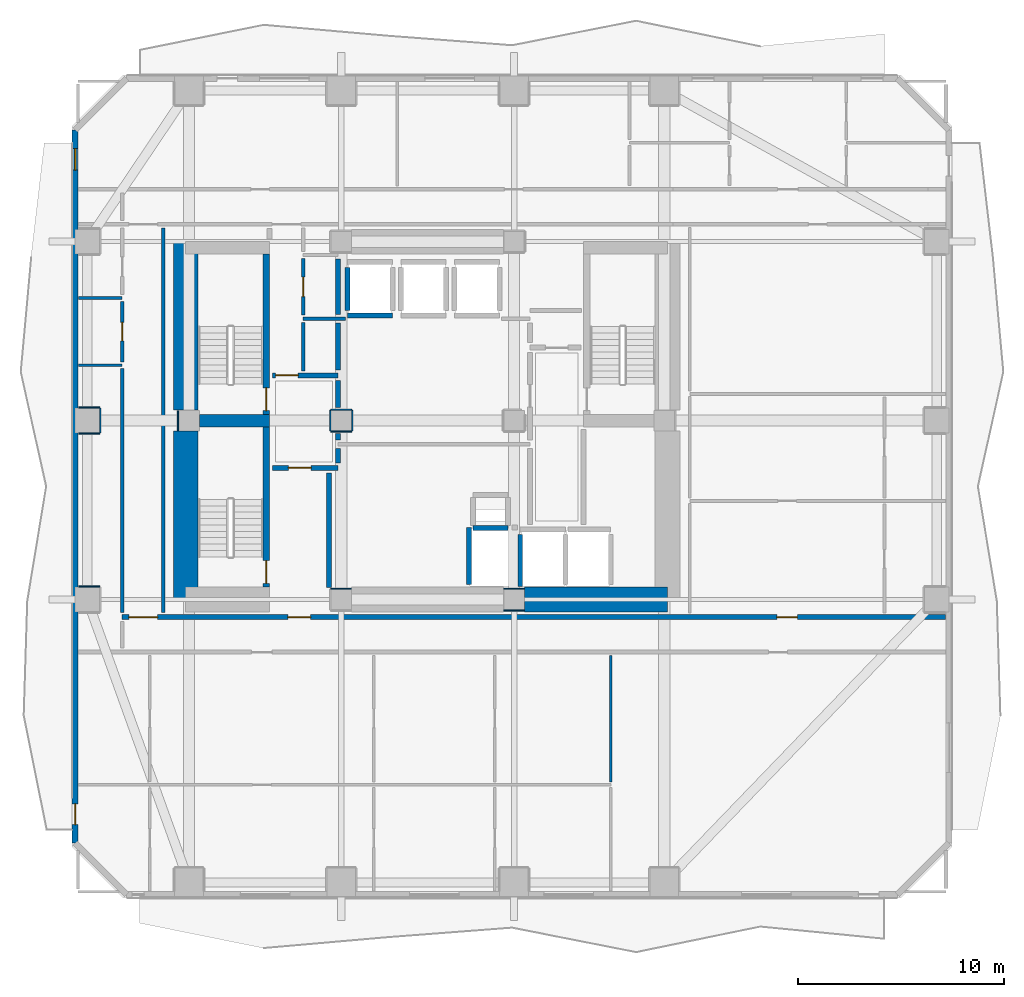
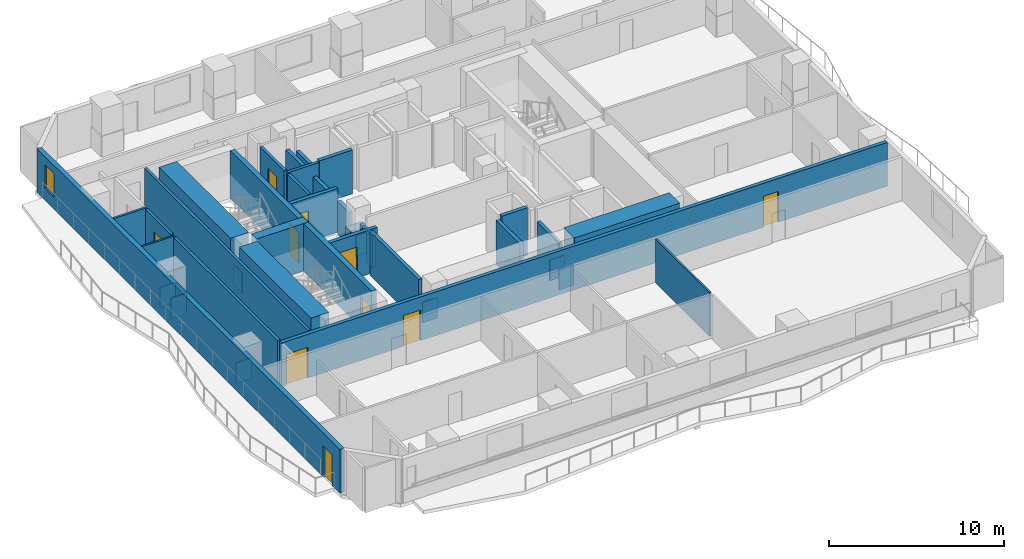
# One storey, part 3 of 9: 42 walls, 10 doors, 1 window, 11 openings.
"""IFC4 building model written with IfcOpenShell, lengths in metres."""

import ifcopenshell
import ifcopenshell.guid

model = None  # the IFC model being written
_history = None  # IfcOwnerHistory: only IFC2X3 demands one
_inside = {}  # id of a spatial element -> (the spatial element, [elements in it])
_under = {}  # id of a project, library or spatial element -> (it, [spatial elements below it])
_declared = {}  # id of a project -> (the project, [libraries it declares])
_typed = {}  # id of a type object -> (the type object, [elements of that type])
_made_of = {}  # id of a material, layer set ... -> (it, [elements and type objects made of it])


def new_model(schema):
    """Start an empty IFC model of exactly this schema.

    Asked for "IFC4X3", IfcOpenShell would pick the latest addendum, in which some entities
    have other attributes; the version numbers below select the first issue.
    IFC2X3 requires an IfcOwnerHistory on every rooted entity: one is made here for all.
    """
    global model, _history
    if schema == "IFC4X3":
        model = ifcopenshell.file(schema_version=(4, 3, 0, 0))
    else:
        model = ifcopenshell.file(schema=schema)
    _inside.clear()
    _under.clear()
    _declared.clear()
    _typed.clear()
    _made_of.clear()
    _history = None
    if model.schema == "IFC2X3":
        org = make("IfcOrganization", Name="unknown")
        user = make(
            "IfcPersonAndOrganization",
            ThePerson=make("IfcPerson", FamilyName="unknown"),
            TheOrganization=org,
        )
        app = make(
            "IfcApplication",
            ApplicationDeveloper=org,
            Version="unknown",
            ApplicationFullName="unknown",
            ApplicationIdentifier="unknown",
        )
        _history = make(
            "IfcOwnerHistory",
            OwningUser=user,
            OwningApplication=app,
            ChangeAction="ADDED",
            CreationDate=0,
        )
    return model


def make(cls, **values):
    """One entity of the class cls with the attributes given. An attribute that is None is left unset."""
    return model.create_entity(
        cls, **{name: value for name, value in values.items() if value is not None}
    )


def rooted(cls, **values):
    """An entity with a GlobalId (a new one), such as an element, a storey or a relation."""
    return make(cls, GlobalId=ifcopenshell.guid.new(), OwnerHistory=_history, **values)


def si_unit(unit_type, name, prefix=None):
    """IfcSIUnit, for example si_unit("LENGTHUNIT", "METRE", prefix="MILLI")."""
    return make("IfcSIUnit", UnitType=unit_type, Prefix=prefix, Name=name)


def assignment(units):
    """IfcUnitAssignment: the units of a project."""
    return None if units is None else make("IfcUnitAssignment", Units=units)


def point(xyz):
    """IfcCartesianPoint."""
    return None if xyz is None else make("IfcCartesianPoint", Coordinates=xyz)


def direction(xyz):
    """IfcDirection."""
    return None if xyz is None else make("IfcDirection", DirectionRatios=xyz)


def frame(location, z_axis=None, x_axis=None):
    """IfcAxis2Placement3D, a coordinate frame: its origin and axes. An axis left out is left unset."""
    return make(
        "IfcAxis2Placement3D",
        Location=point(location),
        Axis=direction(z_axis),
        RefDirection=direction(x_axis),
    )


def frame_2d(location, x_axis=None):
    """IfcAxis2Placement2D, a coordinate frame in the plane: its origin and x axis."""
    return make(
        "IfcAxis2Placement2D", Location=point(location), RefDirection=direction(x_axis)
    )


def origin():
    """The frame at (0, 0, 0) with its axes left unset."""
    return frame((0.0, 0.0, 0.0))


def place(relative_to, where):
    """IfcLocalPlacement: puts the frame where relative to a parent placement (None: the world)."""
    return make(
        "IfcLocalPlacement", PlacementRelTo=relative_to, RelativePlacement=where
    )


def context(
    kind, dimensions, precision=None, world=None, true_north=None, identifier=None
):
    """IfcGeometricRepresentationContext, for example the 3D "Model" context."""
    return make(
        "IfcGeometricRepresentationContext",
        ContextIdentifier=identifier,
        ContextType=kind,
        CoordinateSpaceDimension=dimensions,
        Precision=precision,
        WorldCoordinateSystem=world,
        TrueNorth=true_north,
    )


def subcontext(parent, identifier, kind, view, scale=None):
    """IfcGeometricRepresentationSubContext, for example "Body" below "Model"."""
    return make(
        "IfcGeometricRepresentationSubContext",
        ContextIdentifier=identifier,
        ContextType=kind,
        ParentContext=parent,
        TargetScale=scale,
        TargetView=view,
    )


def project(units=None, contexts=None):
    """IfcProject with its units and contexts."""
    return rooted(
        "IfcProject",
        Name="project",
        RepresentationContexts=contexts,
        UnitsInContext=assignment(units),
    )


def spatial(cls, under=None, at=None, **own):
    """A site, building, storey or space (cls), placed at a placement, below another one or the project."""
    s = rooted(cls, ObjectPlacement=at, **own)
    if under is not None:
        _under.setdefault(under.id(), (under, []))[1].append(s)
    return s


def profile(cls, at=None, kind="AREA", **sizes):
    """A parametric profile (cls). Its sizes go by their IFC names, for example OverallWidth=200.0."""
    return make(cls, ProfileType=kind, Position=at, **sizes)


def rectangle(**sizes):
    """IfcRectangleProfileDef."""
    return profile("IfcRectangleProfileDef", **sizes)


def extrude(swept, where, along, depth):
    """IfcExtrudedAreaSolid: the profile swept, set in the frame where, extruded along a direction by depth."""
    return make(
        "IfcExtrudedAreaSolid",
        SweptArea=swept,
        Position=where,
        ExtrudedDirection=direction(along),
        Depth=depth,
    )


def shape(context_of_items, identifier, shape_type, items):
    """IfcShapeRepresentation: the items that make up one representation, for example the "Body"."""
    return make(
        "IfcShapeRepresentation",
        ContextOfItems=context_of_items,
        RepresentationIdentifier=identifier,
        RepresentationType=shape_type,
        Items=items,
    )


def material(Name=None, Category=None):
    """IfcMaterial."""
    return make("IfcMaterial", Name=Name, Category=Category)


def layer(
    of_material, thickness, ventilated=None, Name=None, Category=None, Priority=None
):
    """IfcMaterialLayer: one layer of a wall or slab, of a material (None: an air gap)."""
    return make(
        "IfcMaterialLayer",
        Material=of_material,
        LayerThickness=thickness,
        IsVentilated=ventilated,
        Name=Name,
        Category=Category,
        Priority=Priority,
    )


def layer_set(layers, Name=None):
    """IfcMaterialLayerSet."""
    return make("IfcMaterialLayerSet", MaterialLayers=layers, LayerSetName=Name)


def made_of(thing, what):
    """Note that an element or type object is made of a material, layer set ...; save() writes the relation."""
    if what is not None:
        _made_of.setdefault(what.id(), (what, []))[1].append(thing)
    return thing


def type_object(cls, material=None, **own):
    """A type object (cls), such as IfcWallType, which elements share."""
    return made_of(rooted(cls, **own), material)


def element(
    cls,
    number,
    at=None,
    inside=None,
    cuts=None,
    type_object=None,
    material=None,
    context=None,
    identifier="Body",
    shape_type=None,
    held_by="IfcProductDefinitionShape",
    body=None,
    shapes=None,
    **own,
):
    """One element of the class cls, such as IfcWall. Its Tag is "e" and its number.

    at: its placement. inside: the storey or other place that contains it. cuts: it is an
    opening in that element (IfcRelVoidsElement). A single representation is given by context,
    identifier, shape_type and body (its items); several are given by shapes. held_by: the class
    of the entity that holds the representations. save() writes the other relations.
    """
    e = rooted(cls, Tag="e%d" % number, ObjectPlacement=at, **own)
    if body is not None:
        shapes = [shape(context, identifier, shape_type, body)]
    if shapes is not None:
        e.Representation = make(held_by, Representations=shapes)
    if inside is not None:
        _inside.setdefault(inside.id(), (inside, []))[1].append(e)
    if cuts is not None:
        rooted(
            "IfcRelVoidsElement", RelatingBuildingElement=cuts, RelatedOpeningElement=e
        )
    if type_object is not None:
        _typed.setdefault(type_object.id(), (type_object, []))[1].append(e)
    return made_of(e, material)


def fill(opening, filler):
    """IfcRelFillsElement: the door or window that sits in an opening."""
    return rooted(
        "IfcRelFillsElement",
        RelatingOpeningElement=opening,
        RelatedBuildingElement=filler,
    )


def aggregate(whole, parts):
    """IfcRelAggregates: a whole, such as a stair, and the parts it consists of."""
    return rooted("IfcRelAggregates", RelatingObject=whole, RelatedObjects=parts)


def save(model, path):
    """Write the relations noted so far, then the file.

    IfcRelAggregates (storeys below a building ...), IfcRelContainedInSpatialStructure (elements
    in a storey), IfcRelDefinesByType, IfcRelAssociatesMaterial and IfcRelDeclares: one each for
    every whole, place, type object, material and project.
    """
    for whole, parts in _under.values():
        aggregate(whole, parts)
    for where, things in _inside.values():
        rooted(
            "IfcRelContainedInSpatialStructure",
            RelatedElements=things,
            RelatingStructure=where,
        )
    for kind, things in _typed.values():
        rooted("IfcRelDefinesByType", RelatedObjects=things, RelatingType=kind)
    for what, things in _made_of.values():
        rooted("IfcRelAssociatesMaterial", RelatedObjects=things, RelatingMaterial=what)
    for by, libraries in _declared.values():
        rooted("IfcRelDeclares", RelatingContext=by, RelatedDefinitions=libraries)
    model.write(path)


model = new_model("IFC4")

# Units and contexts
model_context = context("Model", 3, precision=1e-05, world=origin(), true_north=direction((0.0, 1.0)))
body_context = subcontext(model_context, "Body", "Model", "MODEL_VIEW")
ifc_project = project(units=[si_unit("LENGTHUNIT", "METRE"), si_unit("AREAUNIT", "SQUARE_METRE"), si_unit("VOLUMEUNIT", "CUBIC_METRE"), si_unit("PLANEANGLEUNIT", "RADIAN"), si_unit("MASSUNIT", "GRAM", prefix="KILO")], contexts=[model_context])

# Site, building, storey
site_placement = place(None, origin())
site = spatial("IfcSite", under=ifc_project, at=site_placement, CompositionType="ELEMENT")
building_placement = place(site_placement, origin())
building = spatial("IfcBuilding", under=site, at=building_placement, Name="Solanera Arch Residences", CompositionType="ELEMENT")
storey_placement = place(building_placement, frame((0.0, 0.0, 55.199951171875)))
storey = spatial("IfcBuildingStorey", under=building, at=storey_placement, Name="L15", CompositionType="ELEMENT", Elevation=55.199951171875)

# Walls
ifc_material_1 = material(Name="Fire-Rated Gypsum Stud Partition", Category="gypsum")
ifc_layer_1 = layer(ifc_material_1, 0.06005859375)
ifc_layer_set_1 = layer_set([ifc_layer_1], Name="Fire-Rated Gypsum Stud Partition")
wall_type_1 = type_object("IfcWallType", Name="Column Acoustic Furring Wall 60", PredefinedType="PARTITIONING", material=ifc_layer_set_1)
wall_1_placement = place(storey_placement, frame((20.300048828125, 22.531982421875, 0.0), z_axis=(0.0, 0.0, 1.0), x_axis=(1.0, 0.0, 0.0)))
element("IfcWall", 1, at=wall_1_placement, inside=storey, type_object=wall_type_1, Name="L15 Column Furring 1N", PredefinedType="PARTITIONING", context=body_context, shape_type="SweptSolid", body=[
    extrude(rectangle(XDim=0.989990234375, YDim=0.06005859375, at=frame_2d((0.4951171875, 0.0))), origin(), (0.0, 0.0, 1.0), 1.449951171875),
])
for number, where, z_axis, x_axis, name in (
    (2, (28.7099609375, 21.468017578125, 0.0), (0.0, 0.0, 1.0), (1.0, 0.0, 0.0), "L15 Column Furring 2S"),
    (3, (28.7099609375, 22.531982421875, 0.0), (0.0, 0.0, 1.0), (1.0, 0.0, 0.0), "L15 Column Furring 2N"),
    (4, (12.867919921875, 30.2099609375, 0.0), (0.0, 0.0, 1.0), (0.0, 1.0, 0.0), "L15 Column Furring 5W"),
):
    element("IfcWall", number, at=place(storey_placement, frame(where, z_axis=z_axis, x_axis=x_axis)), inside=storey, type_object=wall_type_1, Name=name, PredefinedType="PARTITIONING", context=body_context, shape_type="SweptSolid", body=[
        extrude(rectangle(XDim=0.97998046875, YDim=0.06005859375, at=frame_2d((0.489990234375, 0.0))), origin(), (0.0, 0.0, 1.0), 1.449951171875),
    ])
for number, where, z_axis, x_axis, name in (
    (5, (20.300048828125, 30.16796875, 0.0), (0.0, 0.0, 1.0), (1.0, 0.0, 0.0), "L15 Column Furring 7S"),
    (6, (20.300048828125, 31.23193359375, 0.0), (0.0, 0.0, 1.0), (1.0, 0.0, 0.0), "L15 Column Furring 7N"),
    (7, (20.26806640625, 30.199951171875, 0.0), (0.0, 0.0, 1.0), (0.0, 1.0, 0.0), "L15 Column Furring 7W"),
    (8, (21.33203125, 30.199951171875, 0.0), (0.0, 0.0, 1.0), (0.0, 1.0, 0.0), "L15 Column Furring 7E"),
):
    element("IfcWall", number, at=place(storey_placement, frame(where, z_axis=z_axis, x_axis=x_axis)), inside=storey, type_object=wall_type_1, Name=name, PredefinedType="PARTITIONING", context=body_context, shape_type="SweptSolid", body=[
        extrude(rectangle(XDim=1.0, YDim=0.06005859375, at=frame_2d((0.5, 0.0))), origin(), (0.0, 0.0, 1.0), 1.449951171875),
    ])
for number, where, z_axis, x_axis, name in (
    (9, (8.030029296875, 22.632080078125, 0.0), (0.0, 0.0, 1.0), (1.0, 0.0, 0.0), "L15 Column Furring 17N"),
    (10, (8.030029296875, 30.068115234375, 0.0), (0.0, 0.0, 1.0), (1.0, 0.0, 0.0), "L15 Column Furring 19S"),
    (11, (8.030029296875, 31.33203125, 0.0), (0.0, 0.0, 1.0), (1.0, 0.0, 0.0), "L15 Column Furring 19N"),
):
    element("IfcWall", number, at=place(storey_placement, frame(where, z_axis=z_axis, x_axis=x_axis)), inside=storey, type_object=wall_type_1, Name=name, PredefinedType="PARTITIONING", context=body_context, shape_type="SweptSolid", body=[
        extrude(rectangle(XDim=1.02001953125, YDim=0.06005859375, at=frame_2d((0.510009765625, 0.0))), origin(), (0.0, 0.0, 1.0), 1.449951171875),
    ])
wall_2_placement = place(storey_placement, frame((9.08203125, 30.10009765625, 0.0), z_axis=(0.0, 0.0, 1.0), x_axis=(0.0, 1.0, 0.0)))
element("IfcWall", 12, at=wall_2_placement, inside=storey, type_object=wall_type_1, Name="L15 Column Furring 19E", PredefinedType="PARTITIONING", context=body_context, shape_type="SweptSolid", body=[
    extrude(rectangle(XDim=1.199951171875, YDim=0.06005859375, at=frame_2d((0.60009765625, 0.0))), origin(), (0.0, 0.0, 1.0), 1.449951171875),
])
ifc_material_2 = material(Name="Concrete C55/67 (f'c = 60 MPa)", Category="concrete")
ifc_layer_2 = layer(ifc_material_2, 1.199951171875)
ifc_layer_set_2 = layer_set([ifc_layer_2], Name="Concrete C55/67 (f'c = 60 MPa)")
wall_type_2 = type_object("IfcWallType", Name="Core Shear Wall CW-1200", PredefinedType="SHEAR", material=ifc_layer_set_2)
wall_3_placement = place(storey_placement, frame((13.239990234375, 22.0, 0.0), z_axis=(0.0, 0.0, 1.0), x_axis=(0.0, 1.0, 0.0)))
element("IfcWall", 13, at=wall_3_placement, inside=storey, type_object=wall_type_2, Name="L15 West Core South Shear Wall", PredefinedType="SHEAR", context=body_context, shape_type="SweptSolid", body=[
    extrude(rectangle(XDim=8.195068359375, YDim=1.199951171875, at=frame_2d((4.09765625, 0.0))), origin(), (0.0, 0.0, 1.0), 3.320068359375),
])
wall_4_placement = place(storey_placement, frame((13.239990234375, 31.205078125, 0.0), z_axis=(0.0, 0.0, 1.0), x_axis=(0.0, 1.0, 0.0)))
element("IfcWall", 14, at=wall_4_placement, inside=storey, type_object=wall_type_2, Name="L15 West Core North Shear Wall", PredefinedType="SHEAR", context=body_context, shape_type="SweptSolid", body=[
    extrude(rectangle(XDim=8.19482421875, YDim=1.199951171875, at=frame_2d((4.097412109375, 0.0))), origin(), (0.0, 0.0, 1.0), 3.320068359375),
])
wall_5_placement = place(storey_placement, frame((29.705078125, 22.0, 0.0), z_axis=(0.0, 0.0, 1.0), x_axis=(1.0, 0.0, 0.0)))
element("IfcWall", 15, at=wall_5_placement, inside=storey, type_object=wall_type_2, Name="L15 South-East Core Shear Wall", PredefinedType="SHEAR", context=body_context, shape_type="SweptSolid", body=[
    extrude(rectangle(XDim=6.954833984375, YDim=1.199951171875, at=frame_2d((3.4775390625, 0.0))), origin(), (0.0, 0.0, 1.0), 3.320068359375),
])

# Wall, opening, door
ifc_material_3 = material(Name="Concrete C40/50 (f'c = 45 MPa)", Category="concrete")
ifc_layer_3 = layer(ifc_material_3, 0.320068359375)
ifc_layer_set_3 = layer_set([ifc_layer_3], Name="Concrete C40/50 (f'c = 45 MPa)")
wall_type_3 = type_object("IfcWallType", Name="Core Shear Wall CW-320", PredefinedType="SHEAR", material=ifc_layer_set_3)
wall_6_placement = place(storey_placement, frame((17.159912109375, 31.0, 0.0), z_axis=(0.0, 0.0, 1.0), x_axis=(0.0, 1.0, 0.0)))
wall_6 = element("IfcWall", 16, at=wall_6_placement, inside=storey, type_object=wall_type_3, Name="L15 Stair ST-T1 East Shear Wall", PredefinedType="SHEAR", context=body_context, shape_type="SweptSolid", body=[
    extrude(rectangle(XDim=7.800048828125, YDim=0.320068359375, at=frame_2d((3.89990234375, 0.0))), origin(), (0.0, 0.0, 1.0), 3.320068359375),
])
opening_1_placement = place(wall_6_placement, frame((0.18994140625, 0.0, 0.0)))
opening_1 = element("IfcOpeningElement", 17, at=opening_1_placement, cuts=wall_6, Name="Opening DF-01", PredefinedType="OPENING", context=body_context, shape_type="SweptSolid", body=[
    extrude(rectangle(XDim=1.10009765625, YDim=2.14990234375, at=frame_2d((0.550048828125, 1.074951171875))), frame((0.0, 0.169921875, 0.0), z_axis=(0.0, -1.0, 0.0), x_axis=(1.0, 0.0, 0.0)), (0.0, 0.0, 1.0), 0.3401),
])
ifc_material_4 = material(Name="Fire-Rated Architectural Hardwood", Category="wood")
door_type_1 = type_object("IfcDoorType", Name="Stair Exit Fire Door DF-01", OperationType="NOTDEFINED", PredefinedType="DOOR", material=ifc_material_4)
door_1_placement = place(opening_1_placement, origin())
door_1 = element("IfcDoor", 18, at=door_1_placement, inside=storey, type_object=door_type_1, Name="DR-L15-STAIR-ST-T1", OperationType="SINGLE_SWING_LEFT", OverallHeight=2.14990234375, OverallWidth=1.10009765625, PredefinedType="DOOR", context=body_context, shape_type="SweptSolid", body=[
    extrude(rectangle(XDim=1.10009765625, YDim=2.14990234375, at=frame_2d((0.550048828125, 1.074951171875))), frame((0.0, 0.02490234375, 0.0), z_axis=(0.0, -1.0, 0.0), x_axis=(1.0, 0.0, 0.0)), (0.0, 0.0, 1.0), 0.050048828125),
])
fill(opening_1, door_1)

wall_7_placement = place(storey_placement, frame((17.159912109375, 22.60009765625, 0.0), z_axis=(0.0, 0.0, 1.0), x_axis=(0.0, 1.0, 0.0)))
wall_7 = element("IfcWall", 19, at=wall_7_placement, inside=storey, type_object=wall_type_3, Name="L15 Stair ST-T3 East Shear Wall", PredefinedType="SHEAR", context=body_context, shape_type="SweptSolid", body=[
    extrude(rectangle(XDim=7.7998046875, YDim=0.320068359375, at=frame_2d((3.89990234375, 0.0))), origin(), (0.0, 0.0, 1.0), 3.320068359375),
])
opening_2_placement = place(wall_7_placement, frame((0.18994140625, 0.0, 0.0)))
opening_2 = element("IfcOpeningElement", 20, at=opening_2_placement, cuts=wall_7, Name="Opening DF-01", PredefinedType="OPENING", context=body_context, shape_type="SweptSolid", body=[
    extrude(rectangle(XDim=1.10009765625, YDim=2.14990234375, at=frame_2d((0.550048828125, 1.074951171875))), frame((0.0, 0.169921875, 0.0), z_axis=(0.0, -1.0, 0.0), x_axis=(1.0, 0.0, 0.0)), (0.0, 0.0, 1.0), 0.3401),
])
door_2_placement = place(opening_2_placement, origin())
door_2 = element("IfcDoor", 21, at=door_2_placement, inside=storey, type_object=door_type_1, Name="DR-L15-STAIR-ST-T3", OperationType="SINGLE_SWING_LEFT", OverallHeight=2.14990234375, OverallWidth=1.10009765625, PredefinedType="DOOR", context=body_context, shape_type="SweptSolid", body=[
    extrude(rectangle(XDim=1.10009765625, YDim=2.14990234375, at=frame_2d((0.550048828125, 1.074951171875))), frame((0.0, 0.02490234375, 0.0), z_axis=(0.0, -1.0, 0.0), x_axis=(1.0, 0.0, 0.0)), (0.0, 0.0, 1.0), 0.050048828125),
])
fill(opening_2, door_2)

# Walls
ifc_material_5 = material(Name="Concrete C40/50 (f'c = 45 MPa)", Category="concrete")
ifc_layer_4 = layer(ifc_material_5, 0.60009765625)
ifc_layer_set_4 = layer_set([ifc_layer_4], Name="Concrete C40/50 (f'c = 45 MPa)")
wall_type_4 = type_object("IfcWallType", Name="Core Shear Wall CW-600", PredefinedType="SHEAR", material=ifc_layer_set_4)
wall_8_placement = place(storey_placement, frame((13.905029296875, 30.699951171875, 0.0), z_axis=(0.0, 0.0, 1.0), x_axis=(1.0, 0.0, 0.0)))
element("IfcWall", 22, at=wall_8_placement, inside=storey, type_object=wall_type_4, Name="L15 West Stair Divider Shear Wall", PredefinedType="SHEAR", context=body_context, shape_type="SweptSolid", body=[
    extrude(rectangle(XDim=3.4150390625, YDim=0.60009765625, at=frame_2d((1.70751953125, 0.0))), origin(), (0.0, 0.0, 1.0), 3.320068359375),
])
ifc_material_6 = material(Name="Autoclaved Aerated Concrete Blockwork", Category="masonry")
ifc_layer_5 = layer(ifc_material_6, 0.179931640625)
ifc_layer_set_5 = layer_set([ifc_layer_5], Name="Autoclaved Aerated Concrete Blockwork")
wall_type_5 = type_object("IfcWallType", Name="Corridor Fire Partition 180", PredefinedType="PARTITIONING", material=ifc_layer_set_5)
wall_9_placement = place(storey_placement, frame((18.949951171875, 35.64990234375, 0.0), z_axis=(0.0, 0.0, 1.0), x_axis=(1.0, 0.0, 0.0)))
element("IfcWall", 23, at=wall_9_placement, inside=storey, type_object=wall_type_5, Name="L15 Interior Partition H8 1", PredefinedType="PARTITIONING", context=body_context, shape_type="SweptSolid", body=[
    extrude(rectangle(XDim=2.05712890625, YDim=0.179931640625, at=frame_2d((1.028564453125, 0.0))), origin(), (0.0, 0.0, 1.0), 3.06005859375),
])
wall_10_placement = place(storey_placement, frame((10.14990234375, 21.367919921875, 0.0), z_axis=(0.0, 0.0, 1.0), x_axis=(0.0, 1.0, 0.0)))
element("IfcWall", 24, at=wall_10_placement, inside=storey, type_object=wall_type_5, Name="L15 Interior Partition V6 2", PredefinedType="PARTITIONING", context=body_context, shape_type="SweptSolid", body=[
    extrude(rectangle(XDim=11.8740234375, YDim=0.179931640625, at=frame_2d((5.93701171875, 0.0))), origin(), (0.0, 0.0, 1.0), 3.06005859375),
])

# Wall, opening, door
wall_11_placement = place(storey_placement, frame((10.14990234375, 33.55810546875, 0.0), z_axis=(0.0, 0.0, 1.0), x_axis=(0.0, 1.0, 0.0)))
wall_11 = element("IfcWall", 25, at=wall_11_placement, inside=storey, type_object=wall_type_5, Name="L15 Interior Partition V6 3", PredefinedType="PARTITIONING", context=body_context, shape_type="SweptSolid", body=[
    extrude(rectangle(XDim=2.923828125, YDim=0.179931640625, at=frame_2d((1.4619140625, 0.0))), origin(), (0.0, 0.0, 1.0), 3.06005859375),
])
opening_3_placement = place(wall_11_placement, frame((1.01708984375, 0.0, 0.0)))
opening_3 = element("IfcOpeningElement", 26, at=opening_3_placement, cuts=wall_11, Name="Opening DI-02", PredefinedType="OPENING", context=body_context, shape_type="SweptSolid", body=[
    extrude(rectangle(XDim=0.89990234375, YDim=2.10009765625, at=frame_2d((0.449951171875, 1.050048828125))), frame((0.0, 0.10009765625, 0.0), z_axis=(0.0, -1.0, 0.0), x_axis=(1.0, 0.0, 0.0)), (0.0, 0.0, 1.0), 0.1999),
])
ifc_material_7 = material(Name="Fire-Rated Architectural Hardwood", Category="wood")
door_type_2 = type_object("IfcDoorType", Name="Suite Room Swing Door DI-02", OperationType="NOTDEFINED", PredefinedType="DOOR", material=ifc_material_7)
door_3_placement = place(opening_3_placement, origin())
door_3 = element("IfcDoor", 27, at=door_3_placement, inside=storey, type_object=door_type_2, Name="DR-L15-IN-029", OperationType="SINGLE_SWING_LEFT", OverallHeight=2.10009765625, OverallWidth=0.89990234375, PredefinedType="DOOR", context=body_context, shape_type="SweptSolid", body=[
    extrude(rectangle(XDim=0.89990234375, YDim=2.10009765625, at=frame_2d((0.449951171875, 1.050048828125))), frame((0.0, 0.02490234375, 0.0), z_axis=(0.0, -1.0, 0.0), x_axis=(1.0, 0.0, 0.0)), (0.0, 0.0, 1.0), 0.050048828125),
])
fill(opening_3, door_3)

# Walls
wall_12_placement = place(storey_placement, frame((12.14990234375, 21.367919921875, 0.0), z_axis=(0.0, 0.0, 1.0), x_axis=(0.0, 1.0, 0.0)))
element("IfcWall", 28, at=wall_12_placement, inside=storey, type_object=wall_type_5, Name="L15 Interior Partition V7", PredefinedType="PARTITIONING", context=body_context, shape_type="SweptSolid", body=[
    extrude(rectangle(XDim=18.694091796875, YDim=0.179931640625, at=frame_2d((9.34716796875, 0.0))), origin(), (0.0, 0.0, 1.0), 3.06005859375),
])
wall_13_placement = place(storey_placement, frame((18.949951171875, 33.117919921875, 0.0), z_axis=(0.0, 0.0, 1.0), x_axis=(0.0, 1.0, 0.0)))
element("IfcWall", 29, at=wall_13_placement, inside=storey, type_object=wall_type_5, Name="L15 Interior Partition V8 1", PredefinedType="PARTITIONING", context=body_context, shape_type="SweptSolid", body=[
    extrude(rectangle(XDim=2.343994140625, YDim=0.179931640625, at=frame_2d((1.171875, 0.0))), origin(), (0.0, 0.0, 1.0), 3.06005859375),
])

# Wall, opening, door
wall_14_placement = place(storey_placement, frame((18.949951171875, 35.837890625, 0.0), z_axis=(0.0, 0.0, 1.0), x_axis=(0.0, 1.0, 0.0)))
wall_14 = element("IfcWall", 30, at=wall_14_placement, inside=storey, type_object=wall_type_5, Name="L15 Interior Partition V8 2", PredefinedType="PARTITIONING", context=body_context, shape_type="SweptSolid", body=[
    extrude(rectangle(XDim=2.744140625, YDim=0.179931640625, at=frame_2d((1.3720703125, 0.0))), origin(), (0.0, 0.0, 1.0), 3.06005859375),
])
opening_4_placement = place(wall_14_placement, frame((0.886962890625, 0.0, 0.0)))
opening_4 = element("IfcOpeningElement", 31, at=opening_4_placement, cuts=wall_14, Name="Opening DI-04", PredefinedType="OPENING", context=body_context, shape_type="SweptSolid", body=[
    extrude(rectangle(XDim=0.949951171875, YDim=2.10009765625, at=frame_2d((0.47509765625, 1.050048828125))), frame((0.0, 0.10009765625, 0.0), z_axis=(0.0, -1.0, 0.0), x_axis=(1.0, 0.0, 0.0)), (0.0, 0.0, 1.0), 0.1999),
])
ifc_material_8 = material(Name="Fire-Rated Architectural Hardwood", Category="wood")
door_type_3 = type_object("IfcDoorType", Name="Accessible Restroom Door DI-04", OperationType="NOTDEFINED", PredefinedType="DOOR", material=ifc_material_8)
door_4_placement = place(opening_4_placement, origin())
door_4 = element("IfcDoor", 32, at=door_4_placement, inside=storey, type_object=door_type_3, Name="DR-L15-IN-012", OperationType="SINGLE_SWING_RIGHT", OverallHeight=2.10009765625, OverallWidth=0.949951171875, PredefinedType="DOOR", context=body_context, shape_type="SweptSolid", body=[
    extrude(rectangle(XDim=0.949951171875, YDim=2.10009765625, at=frame_2d((0.47509765625, 1.050048828125))), frame((0.0, 0.02490234375, 0.0), z_axis=(0.0, -1.0, 0.0), x_axis=(1.0, 0.0, 0.0)), (0.0, 0.0, 1.0), 0.050048828125),
])
fill(opening_4, door_4)

# Wall, openings, door, window
ifc_material_9 = material(Name="Precast Concrete C35/45", Category="concrete")
ifc_layer_6 = layer(ifc_material_9, 0.300048828125)
ifc_layer_set_6 = layer_set([ifc_layer_6], Name="Precast Concrete C35/45")
wall_type_6 = type_object("IfcWallType", Name="Exterior Wall Precast Masonry-Frame 300", PredefinedType="STANDARD", material=ifc_layer_set_6)
wall_15_placement = place(storey_placement, frame((7.864990234375, 10.1650390625, 0.0), z_axis=(0.0, 0.0, 1.0), x_axis=(0.0, 1.0, 0.0)))
wall_15 = element("IfcWall", 33, at=wall_15_placement, inside=storey, type_object=wall_type_6, Name="L15 Tower Exterior Precast Masonry-Frame Wall W", PredefinedType="STANDARD", context=body_context, shape_type="SweptSolid", body=[
    extrude(rectangle(XDim=34.669921875, YDim=0.300048828125, at=frame_2d((17.3349609375, 0.0))), origin(), (0.0, 0.0, 1.0), 3.06005859375),
])
opening_5_placement = place(wall_15_placement, frame((0.90087890625, 0.0, 0.0)))
opening_5 = element("IfcOpeningElement", 34, at=opening_5_placement, cuts=wall_15, Name="Opening DB-01", PredefinedType="OPENING", context=body_context, shape_type="SweptSolid", body=[
    extrude(rectangle(XDim=1.0, YDim=2.14990234375, at=frame_2d((0.5, 1.074951171875))), frame((0.0, 0.159912109375, 0.0), z_axis=(0.0, -1.0, 0.0), x_axis=(1.0, 0.0, 0.0)), (0.0, 0.0, 1.0), 0.32),
])
opening_6_placement = place(wall_15_placement, frame((32.7080078125, 0.0, 0.85009765625)))
opening_6 = element("IfcOpeningElement", 35, at=opening_6_placement, cuts=wall_15, Name="Opening W-07", PredefinedType="OPENING", context=body_context, shape_type="SweptSolid", body=[
    extrude(rectangle(XDim=1.050048828125, YDim=1.64990234375, at=frame_2d((0.52490234375, 0.824951171875))), frame((0.0, 0.159912109375, 0.0), z_axis=(0.0, -1.0, 0.0), x_axis=(1.0, 0.0, 0.0)), (0.0, 0.0, 1.0), 0.32),
])
ifc_material_10 = material(Name="Anodised Aluminium Alloy 6063-T6", Category="aluminium")
door_type_4 = type_object("IfcDoorType", Name="Glazed Balcony Swing Door DB-01", OperationType="NOTDEFINED", PredefinedType="DOOR", material=ifc_material_10)
door_5_placement = place(opening_5_placement, origin())
door_5 = element("IfcDoor", 36, at=door_5_placement, inside=storey, type_object=door_type_4, Name="DR-L15-OUT-04", OperationType="SINGLE_SWING_RIGHT", OverallHeight=2.14990234375, OverallWidth=1.0, PredefinedType="DOOR", context=body_context, shape_type="SweptSolid", body=[
    extrude(rectangle(XDim=1.0, YDim=2.14990234375, at=frame_2d((0.5, 1.074951171875))), frame((0.0, 0.02490234375, 0.0), z_axis=(0.0, -1.0, 0.0), x_axis=(1.0, 0.0, 0.0)), (0.0, 0.0, 1.0), 0.050048828125),
])
fill(opening_5, door_5)
ifc_material_11 = material(Name="Double Glazed Low-E Laminated Glass", Category="glass")
window_type = type_object("IfcWindowType", Name="Punched Window W-07", PartitioningType="SINGLE_PANEL", PredefinedType="WINDOW", material=ifc_material_11)
window_placement = place(opening_6_placement, origin())
window = element("IfcWindow", 37, at=window_placement, inside=storey, type_object=window_type, Name="L15 AMN-MTG1 Punched Window", OverallHeight=1.64990234375, OverallWidth=1.050048828125, PartitioningType="SINGLE_PANEL", PredefinedType="WINDOW", context=body_context, shape_type="SweptSolid", body=[
    extrude(rectangle(XDim=1.050048828125, YDim=1.64990234375, at=frame_2d((0.52490234375, 0.824951171875))), frame((0.0, 0.030029296875, 0.0), z_axis=(0.0, -1.0, 0.0), x_axis=(1.0, 0.0, 0.0)), (0.0, 0.0, 1.0), 0.06005859375),
])
fill(opening_6, window)

# Walls
ifc_material_12 = material(Name="Concrete C40/50 (f'c = 45 MPa)", Category="concrete")
ifc_layer_7 = layer(ifc_material_12, 0.239990234375)
ifc_layer_set_7 = layer_set([ifc_layer_7], Name="Concrete C40/50 (f'c = 45 MPa)")
wall_type_7 = type_object("IfcWallType", Name="Ramp Bearing Shear Wall RW-240", PredefinedType="SHEAR", material=ifc_layer_set_7)
wall_16_placement = place(storey_placement, frame((27.199951171875, 25.47998046875, 0.0), z_axis=(0.0, 0.0, 1.0), x_axis=(1.0, 0.0, 0.0)))
element("IfcWall", 38, at=wall_16_placement, inside=storey, type_object=wall_type_7, Name="L15 Core MEP Riser South Shaft Wall", PredefinedType="SHEAR", context=body_context, shape_type="SweptSolid", body=[
    extrude(rectangle(XDim=1.699951171875, YDim=0.239990234375, at=frame_2d((0.85009765625, 0.0))), origin(), (0.0, 0.0, 1.0), 3.320068359375),
])
ifc_material_13 = material(Name="Autoclaved Aerated Concrete Blockwork", Category="masonry")
ifc_layer_8 = layer(ifc_material_13, 0.239990234375)
ifc_layer_set_8 = layer_set([ifc_layer_8], Name="Autoclaved Aerated Concrete Blockwork")
wall_type_8 = type_object("IfcWallType", Name="Shaft Wall Fire-Rated 240", PredefinedType="PARTITIONING", material=ifc_layer_set_8)
wall_17_placement = place(storey_placement, frame((21.10009765625, 35.800048828125, 0.0), z_axis=(0.0, 0.0, 1.0), x_axis=(1.0, 0.0, 0.0)))
element("IfcWall", 39, at=wall_17_placement, inside=storey, type_object=wall_type_8, Name="L15 Lift PL-L1 Hoistway Wall S", PredefinedType="PARTITIONING", context=body_context, shape_type="SweptSolid", body=[
    extrude(rectangle(XDim=2.199951171875, YDim=0.239990234375, at=frame_2d((1.10009765625, 0.0))), origin(), (0.0, 0.0, 1.0), 3.06005859375),
])
wall_18_placement = place(storey_placement, frame((21.10009765625, 36.048095703125, 0.0), z_axis=(0.0, 0.0, 1.0), x_axis=(0.0, 1.0, 0.0)))
element("IfcWall", 40, at=wall_18_placement, inside=storey, type_object=wall_type_8, Name="L15 Lift PL-L1 Hoistway Wall W", PredefinedType="PARTITIONING", context=body_context, shape_type="SweptSolid", body=[
    extrude(rectangle(XDim=2.10400390625, YDim=0.239990234375, at=frame_2d((1.052001953125, 0.0))), origin(), (0.0, 0.0, 1.0), 2.295166015625),
])
wall_19_placement = place(storey_placement, frame((29.5, 22.632080078125, 0.0), z_axis=(0.0, 0.0, 1.0), x_axis=(0.0, 1.0, 0.0)))
element("IfcWall", 41, at=wall_19_placement, inside=storey, type_object=wall_type_8, Name="L15 Lift FFL-1 Hoistway Wall W", PredefinedType="PARTITIONING", context=body_context, shape_type="SweptSolid", body=[
    extrude(rectangle(XDim=2.52001953125, YDim=0.239990234375, at=frame_2d((1.260009765625, 0.0))), origin(), (0.0, 0.0, 1.0), 2.295166015625),
])
wall_20_placement = place(storey_placement, frame((27.0, 22.72998046875, 0.0), z_axis=(0.0, 0.0, 1.0), x_axis=(0.0, 1.0, 0.0)))
element("IfcWall", 42, at=wall_20_placement, inside=storey, type_object=wall_type_8, Name="L15 Lift SVL-1 Hoistway Wall W", PredefinedType="PARTITIONING", context=body_context, shape_type="SweptSolid", body=[
    extrude(rectangle(XDim=2.76806640625, YDim=0.239990234375, at=frame_2d((1.384033203125, 0.0))), origin(), (0.0, 0.0, 1.0), 3.06005859375),
])

# Wall, openings, doors
wall_21_placement = place(storey_placement, frame((10.14990234375, 21.14990234375, 0.0), z_axis=(0.0, 0.0, 1.0), x_axis=(1.0, 0.0, 0.0)))
wall_21 = element("IfcWall", 43, at=wall_21_placement, inside=storey, type_object=wall_type_8, Name="L15 Interior Partition H1", PredefinedType="PARTITIONING", context=body_context, shape_type="SweptSolid", body=[
    extrude(rectangle(XDim=40.023193359375, YDim=0.239990234375, at=frame_2d((20.01171875, 0.0))), origin(), (0.0, 0.0, 1.0), 3.06005859375),
])
opening_7_placement = place(wall_21_placement, frame((8.06005859375, 0.0, 0.0)))
opening_7 = element("IfcOpeningElement", 44, at=opening_7_placement, cuts=wall_21, Name="Opening DF-02", PredefinedType="OPENING", context=body_context, shape_type="SweptSolid", body=[
    extrude(rectangle(XDim=1.10009765625, YDim=2.14990234375, at=frame_2d((0.550048828125, 1.074951171875))), frame((0.0, 0.1298828125, 0.0), z_axis=(0.0, -1.0, 0.0), x_axis=(1.0, 0.0, 0.0)), (0.0, 0.0, 1.0), 0.26),
])
opening_8_placement = place(wall_21_placement, frame((0.323974609375, 0.0, 0.0)))
opening_8 = element("IfcOpeningElement", 45, at=opening_8_placement, cuts=wall_21, Name="Opening DF-03", PredefinedType="OPENING", context=body_context, shape_type="SweptSolid", body=[
    extrude(rectangle(XDim=1.39990234375, YDim=2.14990234375, at=frame_2d((0.699951171875, 1.074951171875))), frame((0.0, 0.1298828125, 0.0), z_axis=(0.0, -1.0, 0.0), x_axis=(1.0, 0.0, 0.0)), (0.0, 0.0, 1.0), 0.26),
])
opening_9_placement = place(wall_21_placement, frame((31.824951171875, 0.0, 0.0)))
opening_9 = element("IfcOpeningElement", 46, at=opening_9_placement, cuts=wall_21, Name="Opening DI-01", PredefinedType="OPENING", context=body_context, shape_type="SweptSolid", body=[
    extrude(rectangle(XDim=1.0, YDim=2.14990234375, at=frame_2d((0.5, 1.074951171875))), frame((0.0, 0.1298828125, 0.0), z_axis=(0.0, -1.0, 0.0), x_axis=(1.0, 0.0, 0.0)), (0.0, 0.0, 1.0), 0.26),
])
ifc_material_14 = material(Name="Fire-Rated Architectural Hardwood", Category="wood")
door_type_5 = type_object("IfcDoorType", Name="Corridor Smoke Door DF-03", OperationType="NOTDEFINED", PredefinedType="DOOR", material=ifc_material_14)
door_6_placement = place(opening_8_placement, origin())
door_6 = element("IfcDoor", 47, at=door_6_placement, inside=storey, type_object=door_type_5, Name="DR-L15-IN-010", OperationType="SINGLE_SWING_RIGHT", OverallHeight=2.14990234375, OverallWidth=1.39990234375, PredefinedType="DOOR", context=body_context, shape_type="SweptSolid", body=[
    extrude(rectangle(XDim=1.39990234375, YDim=2.14990234375, at=frame_2d((0.699951171875, 1.074951171875))), frame((0.0, 0.02490234375, 0.0), z_axis=(0.0, -1.0, 0.0), x_axis=(1.0, 0.0, 0.0)), (0.0, 0.0, 1.0), 0.050048828125),
])
fill(opening_8, door_6)
ifc_material_15 = material(Name="Fire-Rated Architectural Hardwood", Category="wood")
door_type_6 = type_object("IfcDoorType", Name="Firefighting Lobby Fire Door DF-02", OperationType="NOTDEFINED", PredefinedType="DOOR", material=ifc_material_15)
door_7_placement = place(opening_7_placement, origin())
door_7 = element("IfcDoor", 48, at=door_7_placement, inside=storey, type_object=door_type_6, Name="DR-L15-IN-008", OperationType="SINGLE_SWING_RIGHT", OverallHeight=2.14990234375, OverallWidth=1.10009765625, PredefinedType="DOOR", context=body_context, shape_type="SweptSolid", body=[
    extrude(rectangle(XDim=1.10009765625, YDim=2.14990234375, at=frame_2d((0.550048828125, 1.074951171875))), frame((0.0, 0.02490234375, 0.0), z_axis=(0.0, -1.0, 0.0), x_axis=(1.0, 0.0, 0.0)), (0.0, 0.0, 1.0), 0.050048828125),
])
fill(opening_7, door_7)
ifc_material_16 = material(Name="Fire-Rated Architectural Hardwood", Category="wood")
door_type_7 = type_object("IfcDoorType", Name="Unit Entrance Fire Door DI-01", OperationType="NOTDEFINED", PredefinedType="DOOR", material=ifc_material_16)
door_8_placement = place(opening_9_placement, origin())
door_8 = element("IfcDoor", 49, at=door_8_placement, inside=storey, type_object=door_type_7, Name="DR-L15-IN-031", OperationType="SINGLE_SWING_LEFT", OverallHeight=2.14990234375, OverallWidth=1.0, PredefinedType="DOOR", context=body_context, shape_type="SweptSolid", body=[
    extrude(rectangle(XDim=1.0, YDim=2.14990234375, at=frame_2d((0.5, 1.074951171875))), frame((0.0, 0.02490234375, 0.0), z_axis=(0.0, -1.0, 0.0), x_axis=(1.0, 0.0, 0.0)), (0.0, 0.0, 1.0), 0.050048828125),
])
fill(opening_9, door_8)

# Wall, opening, door
wall_22_placement = place(storey_placement, frame((17.449951171875, 28.39990234375, 0.0), z_axis=(0.0, 0.0, 1.0), x_axis=(1.0, 0.0, 0.0)))
wall_22 = element("IfcWall", 50, at=wall_22_placement, inside=storey, type_object=wall_type_8, Name="L15 Interior Partition H3", PredefinedType="PARTITIONING", context=body_context, shape_type="SweptSolid", body=[
    extrude(rectangle(XDim=3.199951171875, YDim=0.239990234375, at=frame_2d((1.60009765625, 0.0))), origin(), (0.0, 0.0, 1.0), 3.06005859375),
])
opening_10_placement = place(wall_22_placement, frame((0.783935546875, 0.0, 0.0)))
opening_10 = element("IfcOpeningElement", 51, at=opening_10_placement, cuts=wall_22, Name="Opening DF-02", PredefinedType="OPENING", context=body_context, shape_type="SweptSolid", body=[
    extrude(rectangle(XDim=1.10009765625, YDim=2.14990234375, at=frame_2d((0.550048828125, 1.074951171875))), frame((0.0, 0.1298828125, 0.0), z_axis=(0.0, -1.0, 0.0), x_axis=(1.0, 0.0, 0.0)), (0.0, 0.0, 1.0), 0.26),
])
door_9_placement = place(opening_10_placement, origin())
door_9 = element("IfcDoor", 52, at=door_9_placement, inside=storey, type_object=door_type_6, Name="DR-L15-IN-004", OperationType="SINGLE_SWING_RIGHT", OverallHeight=2.14990234375, OverallWidth=1.10009765625, PredefinedType="DOOR", context=body_context, shape_type="SweptSolid", body=[
    extrude(rectangle(XDim=1.10009765625, YDim=2.14990234375, at=frame_2d((0.550048828125, 1.074951171875))), frame((0.0, 0.02490234375, 0.0), z_axis=(0.0, -1.0, 0.0), x_axis=(1.0, 0.0, 0.0)), (0.0, 0.0, 1.0), 0.050048828125),
])
fill(opening_10, door_9)

wall_23_placement = place(storey_placement, frame((17.449951171875, 32.89990234375, 0.0), z_axis=(0.0, 0.0, 1.0), x_axis=(1.0, 0.0, 0.0)))
wall_23 = element("IfcWall", 53, at=wall_23_placement, inside=storey, type_object=wall_type_8, Name="L15 Interior Partition H4", PredefinedType="PARTITIONING", context=body_context, shape_type="SweptSolid", body=[
    extrude(rectangle(XDim=3.199951171875, YDim=0.239990234375, at=frame_2d((1.60009765625, 0.0))), origin(), (0.0, 0.0, 1.0), 3.06005859375),
])
opening_11_placement = place(wall_23_placement, frame((0.158935546875, 0.0, 0.0)))
opening_11 = element("IfcOpeningElement", 54, at=opening_11_placement, cuts=wall_23, Name="Opening DF-02", PredefinedType="OPENING", context=body_context, shape_type="SweptSolid", body=[
    extrude(rectangle(XDim=1.10009765625, YDim=2.14990234375, at=frame_2d((0.550048828125, 1.074951171875))), frame((0.0, 0.1298828125, 0.0), z_axis=(0.0, -1.0, 0.0), x_axis=(1.0, 0.0, 0.0)), (0.0, 0.0, 1.0), 0.26),
])
door_10_placement = place(opening_11_placement, origin())
door_10 = element("IfcDoor", 55, at=door_10_placement, inside=storey, type_object=door_type_6, Name="DR-L15-IN-005", OperationType="SINGLE_SWING_LEFT", OverallHeight=2.14990234375, OverallWidth=1.10009765625, PredefinedType="DOOR", context=body_context, shape_type="SweptSolid", body=[
    extrude(rectangle(XDim=1.10009765625, YDim=2.14990234375, at=frame_2d((0.550048828125, 1.074951171875))), frame((0.0, 0.02490234375, 0.0), z_axis=(0.0, -1.0, 0.0), x_axis=(1.0, 0.0, 0.0)), (0.0, 0.0, 1.0), 0.050048828125),
])
fill(opening_11, door_10)

# Walls
wall_24_placement = place(storey_placement, frame((20.199951171875, 22.5859375, 0.0), z_axis=(0.0, 0.0, 1.0), x_axis=(0.0, 1.0, 0.0)))
element("IfcWall", 56, at=wall_24_placement, inside=storey, type_object=wall_type_8, Name="L15 Interior Partition V2", PredefinedType="PARTITIONING", context=body_context, shape_type="SweptSolid", body=[
    extrude(rectangle(XDim=5.566162109375, YDim=0.239990234375, at=frame_2d((2.783203125, 0.0))), origin(), (0.0, 0.0, 1.0), 3.06005859375),
])
wall_25_placement = place(storey_placement, frame((20.64990234375, 28.64794921875, 0.0), z_axis=(0.0, 0.0, 1.0), x_axis=(0.0, 1.0, 0.0)))
element("IfcWall", 57, at=wall_25_placement, inside=storey, type_object=wall_type_8, Name="L15 Interior Partition V3 1", PredefinedType="PARTITIONING", context=body_context, shape_type="SweptSolid", body=[
    extrude(rectangle(XDim=0.68408203125, YDim=0.239990234375, at=frame_2d((0.342041015625, 0.0))), origin(), (0.0, 0.0, 1.0), 2.295166015625),
])
wall_26_placement = place(storey_placement, frame((20.64990234375, 29.76806640625, 0.0), z_axis=(0.0, 0.0, 1.0), x_axis=(0.0, 1.0, 0.0)))
element("IfcWall", 58, at=wall_26_placement, inside=storey, type_object=wall_type_8, Name="L15 Interior Partition V3 2", PredefinedType="PARTITIONING", context=body_context, shape_type="SweptSolid", body=[
    extrude(rectangle(XDim=0.300048828125, YDim=0.239990234375, at=frame_2d((0.14990234375, 0.0))), origin(), (0.0, 0.0, 1.0), 2.295166015625),
])
wall_27_placement = place(storey_placement, frame((20.64990234375, 31.33203125, 0.0), z_axis=(0.0, 0.0, 1.0), x_axis=(0.0, 1.0, 0.0)))
element("IfcWall", 59, at=wall_27_placement, inside=storey, type_object=wall_type_8, Name="L15 Interior Partition V3 3", PredefinedType="PARTITIONING", context=body_context, shape_type="SweptSolid", body=[
    extrude(rectangle(XDim=1.320068359375, YDim=0.239990234375, at=frame_2d((0.66015625, 0.0))), origin(), (0.0, 0.0, 1.0), 2.295166015625),
])
wall_28_placement = place(storey_placement, frame((20.64990234375, 33.14794921875, 0.0), z_axis=(0.0, 0.0, 1.0), x_axis=(0.0, 1.0, 0.0)))
element("IfcWall", 60, at=wall_28_placement, inside=storey, type_object=wall_type_8, Name="L15 Interior Partition V3 4", PredefinedType="PARTITIONING", context=body_context, shape_type="SweptSolid", body=[
    extrude(rectangle(XDim=2.283935546875, YDim=0.239990234375, at=frame_2d((1.14208984375, 0.0))), origin(), (0.0, 0.0, 1.0), 2.295166015625),
])
wall_29_placement = place(storey_placement, frame((20.64990234375, 35.867919921875, 0.0), z_axis=(0.0, 0.0, 1.0), x_axis=(0.0, 1.0, 0.0)))
element("IfcWall", 61, at=wall_29_placement, inside=storey, type_object=wall_type_8, Name="L15 Interior Partition V3 5", PredefinedType="PARTITIONING", context=body_context, shape_type="SweptSolid", body=[
    extrude(rectangle(XDim=2.68408203125, YDim=0.239990234375, at=frame_2d((1.342041015625, 0.0))), origin(), (0.0, 0.0, 1.0), 2.295166015625),
])
ifc_material_17 = material(Name="Fire-Rated Gypsum Stud Partition", Category="gypsum")
ifc_layer_9 = layer(ifc_material_17, 0.1201171875)
ifc_layer_set_9 = layer_set([ifc_layer_9], Name="Fire-Rated Gypsum Stud Partition")
wall_type_9 = type_object("IfcWallType", Name="Unit Drywall Partition 120", PredefinedType="PARTITIONING", material=ifc_layer_set_9)
wall_30_placement = place(storey_placement, frame((8.027099609375, 33.39990234375, 0.0), z_axis=(0.0, 0.0, 1.0), x_axis=(1.0, 0.0, 0.0)))
element("IfcWall", 62, at=wall_30_placement, inside=storey, type_object=wall_type_9, Name="L15 Interior Partition H20", PredefinedType="PARTITIONING", context=body_context, shape_type="SweptSolid", body=[
    extrude(rectangle(XDim=2.122802734375, YDim=0.1201171875, at=frame_2d((1.0615234375, 0.0))), origin(), (0.0, 0.0, 1.0), 3.06005859375),
])
wall_31_placement = place(storey_placement, frame((33.907958984375, 13.137939453125, 0.0), z_axis=(0.0, 0.0, 1.0), x_axis=(0.0, 1.0, 0.0)))
element("IfcWall", 63, at=wall_31_placement, inside=storey, type_object=wall_type_9, Name="L15 Interior Partition V20 2", PredefinedType="PARTITIONING", context=body_context, shape_type="SweptSolid", body=[
    extrude(rectangle(XDim=6.154052734375, YDim=0.1201171875, at=frame_2d((3.0771484375, 0.0))), origin(), (0.0, 0.0, 1.0), 3.06005859375),
])
ifc_material_18 = material(Name="Autoclaved Aerated Concrete Blockwork", Category="masonry")
ifc_layer_10 = layer(ifc_material_18, 0.139892578125)
ifc_layer_set_10 = layer_set([ifc_layer_10], Name="Autoclaved Aerated Concrete Blockwork")
wall_type_10 = type_object("IfcWallType", Name="Wet-Room Partition 140", PredefinedType="PARTITIONING", material=ifc_layer_set_10)
wall_32_placement = place(storey_placement, frame((8.027099609375, 36.64990234375, 0.0), z_axis=(0.0, 0.0, 1.0), x_axis=(1.0, 0.0, 0.0)))
element("IfcWall", 64, at=wall_32_placement, inside=storey, type_object=wall_type_10, Name="L15 Interior Partition H15", PredefinedType="PARTITIONING", context=body_context, shape_type="SweptSolid", body=[
    extrude(rectangle(XDim=2.122802734375, YDim=0.139892578125, at=frame_2d((1.0615234375, 0.0))), origin(), (0.0, 0.0, 1.0), 3.06005859375),
])

save(model, "model.ifc")
